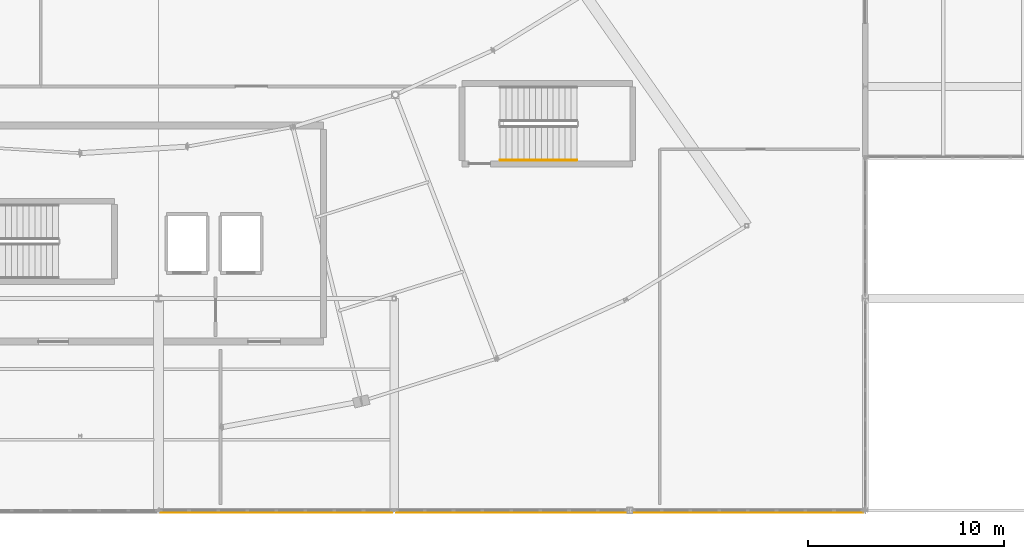
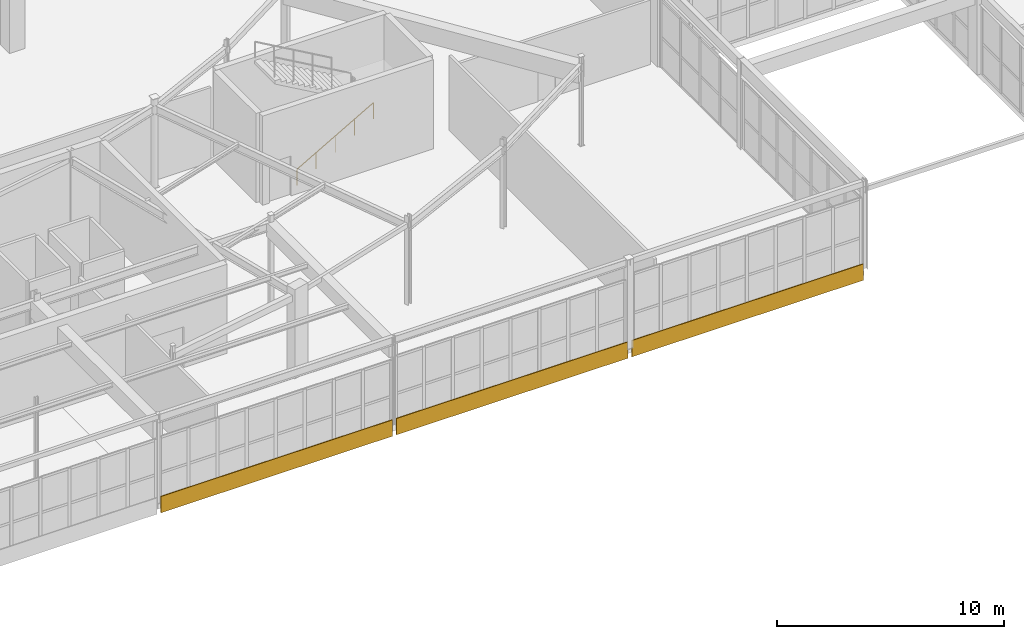
# One storey, part 167 of 186: 3 coverings, 1 railing.
"""IFC4 building model written with IfcOpenShell, lengths in metres."""

from ifc_helpers import new_model, si_unit, direction, frame, origin, origin_2d, place, context, subcontext, project, spatial, rectangle, circle, extrude, material, layer, layer_set, type_object, element, save


model = new_model("IFC4")

# Units and contexts
model_context = context("Model", 3, precision=1e-05, world=origin(), true_north=direction((0.0, 1.0)))
body_context = subcontext(model_context, "Body", "Model", "MODEL_VIEW")
ifc_project = project(units=[si_unit("LENGTHUNIT", "METRE"), si_unit("AREAUNIT", "SQUARE_METRE"), si_unit("VOLUMEUNIT", "CUBIC_METRE"), si_unit("PLANEANGLEUNIT", "RADIAN"), si_unit("MASSUNIT", "GRAM", prefix="KILO")], contexts=[model_context])

# Site, building, storey
site_placement = place(None, origin())
site = spatial("IfcSite", under=ifc_project, at=site_placement, CompositionType="ELEMENT")
building_placement = place(site_placement, origin())
building = spatial("IfcBuilding", under=site, at=building_placement, Name="Tarnwether General Hospital", CompositionType="ELEMENT")
storey_placement = place(building_placement, frame((0.0, 0.0, 9.60009765625)))
storey = spatial("IfcBuildingStorey", under=building, at=storey_placement, Name="L02", CompositionType="ELEMENT", Elevation=9.60009765625)

# Coverings
ifc_material_1 = material(Name="Folded zinc-titanium cladding")
ifc_layer = layer(ifc_material_1, 0.0400390625)
ifc_layer_set = layer_set([ifc_layer], Name="Folded zinc-titanium cladding")
covering_type = type_object("IfcCoveringType", Name="CV-CLD-ZNC", PredefinedType="CLADDING", material=ifc_layer_set)
for number, where, z_axis, x_axis, name in (
    (1, (102.0, -0.090087890625, -0.52001953125), (0.0, 0.0, 1.0), (1.0, 0.0, 0.0), "Diagnostic Base Faceted Zinc Spandrel 080"),
    (2, (114.0, -0.090087890625, -0.52001953125), (0.0, 0.0, 1.0), (1.0, 0.0, 0.0), "Diagnostic Base Faceted Zinc Spandrel 081"),
    (3, (126.0, -0.090087890625, -0.52001953125), (0.0, 0.0, 1.0), (1.0, 0.0, 0.0), "Diagnostic Base Faceted Zinc Spandrel 082"),
):
    element("IfcCovering", number, at=place(storey_placement, frame(where, z_axis=z_axis, x_axis=x_axis)), inside=storey, type_object=covering_type, Name=name, PredefinedType="CLADDING", context=body_context, shape_type="SweptSolid", body=[
        extrude(rectangle(XDim=11.800048828125, YDim=0.0400390625, at=origin_2d()), origin(), (0.0, 0.0, 1.0), 0.8798828125),
    ])

# Railing
ifc_material_2 = material(Name="Anodised aluminium", Category="aluminium")
railing_type = type_object("IfcRailingType", Name="RL-HND-INT", PredefinedType="HANDRAIL", material=ifc_material_2)
railing_placement = place(storey_placement, frame((113.39990234375, 17.85009765625, 0.17138671875)))
element("IfcRailing", 4, at=railing_placement, inside=storey, type_object=railing_type, Name="L02 ST-10 stair handrail 1", PredefinedType="HANDRAIL", context=body_context, shape_type="SweptSolid", body=[
    extrude(circle(Radius=0.02392578125, at=origin_2d()), frame((0.0, 0.0, 0.8759765625), z_axis=(0.868256520506, 0.0, 0.496115525457), x_axis=(0.0, 1.0, 0.0)), (0.0, 0.0, 1.0), 4.491943359375),
    extrude(circle(Radius=0.02099609375, at=origin_2d()), origin(), (0.0, 0.0, 1.0), 0.851806640625),
    extrude(circle(Radius=0.02099609375, at=origin_2d()), frame((0.97509765625, 0.0, 0.55712890625)), (0.0, 0.0, 1.0), 0.851806640625),
    extrude(circle(Radius=0.02099609375, at=origin_2d()), frame((1.9501953125, 0.0, 1.1142578125)), (0.0, 0.0, 1.0), 0.851806640625),
    extrude(circle(Radius=0.02099609375, at=origin_2d()), frame((2.925048828125, 0.0, 1.67138671875)), (0.0, 0.0, 1.0), 0.851806640625),
    extrude(circle(Radius=0.02099609375, at=origin_2d()), frame((3.900146484375, 0.0, 2.228515625)), (0.0, 0.0, 1.0), 0.851806640625),
])

save(model, "model.ifc")
